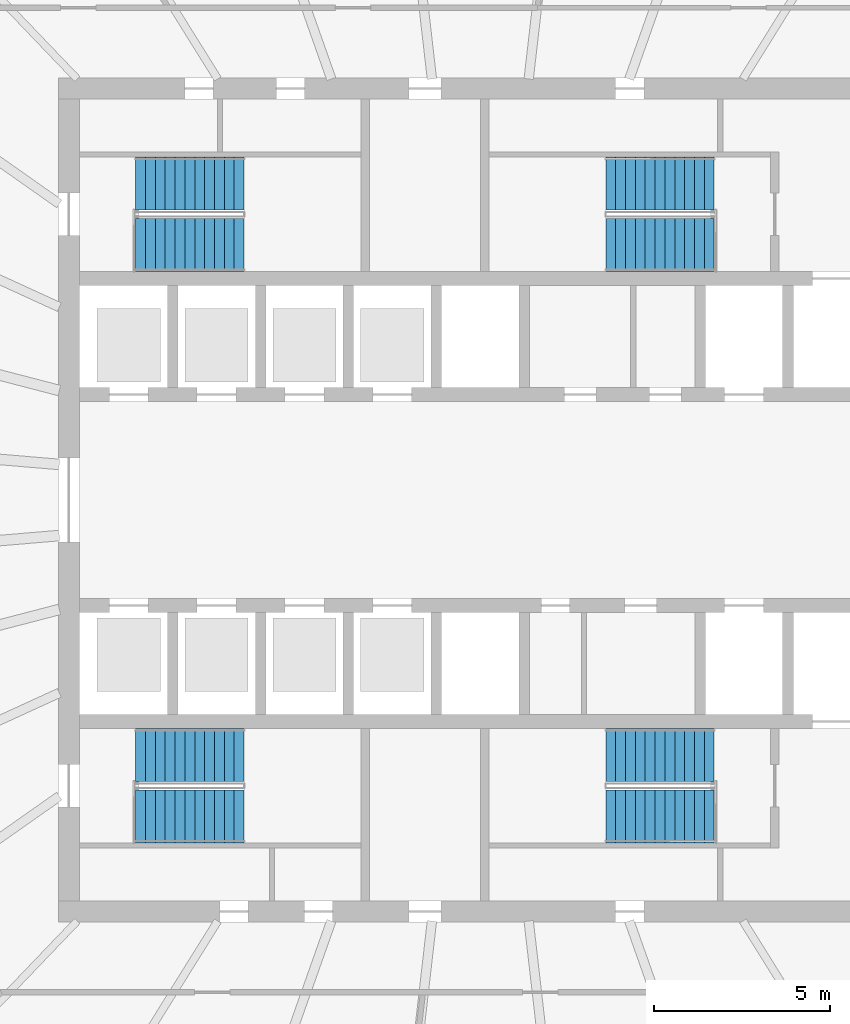
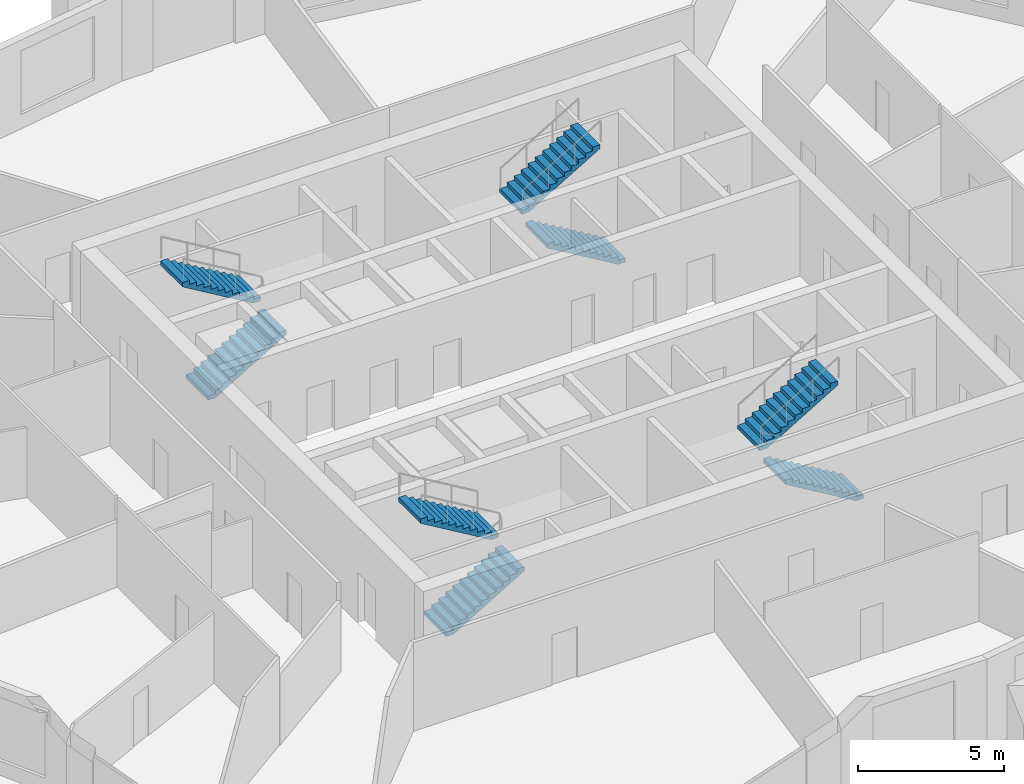
# One storey, part 8 of 11: 8 stair flights, 4 elements without a shape of their own.
"""IFC4 building model written with IfcOpenShell, lengths in metres."""

from ifc_helpers import new_model, si_unit, direction, frame, origin, place, context, subcontext, project, spatial, polyline, outline, extrude, material, type_object, element, aggregate, save


model = new_model("IFC4")

# Units and contexts
model_context = context("Model", 3, precision=1e-05, world=origin(), true_north=direction((0.0, 1.0)))
body_context = subcontext(model_context, "Body", "Model", "MODEL_VIEW")
ifc_project = project(units=[si_unit("LENGTHUNIT", "METRE"), si_unit("AREAUNIT", "SQUARE_METRE"), si_unit("VOLUMEUNIT", "CUBIC_METRE"), si_unit("PLANEANGLEUNIT", "RADIAN"), si_unit("MASSUNIT", "GRAM", prefix="KILO")], contexts=[model_context])

# Site, building, storey
site_placement = place(None, origin())
site = spatial("IfcSite", under=ifc_project, at=site_placement, CompositionType="ELEMENT")
building_placement = place(site_placement, origin())
building = spatial("IfcBuilding", under=site, at=building_placement, Name="Halqa Exchange Tower", CompositionType="ELEMENT")
storey_placement = place(building_placement, frame((0.0, 0.0, 214.89990234375)))
storey = spatial("IfcBuildingStorey", under=building, at=storey_placement, Name="L49", CompositionType="ELEMENT", Elevation=214.89990234375)

# Stair, stair flights
ifc_material = material(Name="Concrete C30/37", Category="concrete")
stair_type = type_object("IfcStairType", Name="Exit stair 1500 wide", PredefinedType="HALF_TURN_STAIR", material=ifc_material)
stair_1_placement = place(storey_placement, origin())
stair_1 = element("IfcStair", 1, at=stair_1_placement, inside=storey, type_object=stair_type, Name="Exit stair ST1", PredefinedType="HALF_TURN_STAIR")
stair_flight_type = type_object("IfcStairFlightType", Name="Stair flight 1500 wide", PredefinedType="STRAIGHT", material=ifc_material)
stair_flight_1_placement = place(storey_placement, frame((-9.800048828125, 7.25, 0.0), z_axis=(0.0, 0.0, 1.0), x_axis=(1.0, 0.0, 0.0)))
stair_flight_1 = element("IfcStairFlight", 2, at=stair_flight_1_placement, type_object=stair_flight_type, Name="ST1 flight 1", NumberOfRisers=12, NumberOfTreads=11, PredefinedType="STRAIGHT", RiserHeight=0.166666667, TreadLength=0.28, context=body_context, shape_type="SweptSolid", body=[
    extrude(outline(polyline([(0.0, 0.0), (0.0, 0.166748046875), (0.280029296875, 0.166748046875), (0.280029296875, 0.333251953125), (0.56005859375, 0.333251953125), (0.56005859375, 0.5), (0.840087890625, 0.5), (0.840087890625, 0.666748046875), (1.1201171875, 0.666748046875), (1.1201171875, 0.833251953125), (1.39990234375, 0.833251953125), (1.39990234375, 1.0), (1.679931640625, 1.0), (1.679931640625, 1.166748046875), (1.9599609375, 1.166748046875), (1.9599609375, 1.333251953125), (2.239990234375, 1.333251953125), (2.239990234375, 1.5), (2.52001953125, 1.5), (2.52001953125, 1.666748046875), (2.800048828125, 1.666748046875), (2.800048828125, 1.833251953125), (3.080078125, 1.833251953125), (3.080078125, 2.0), (3.080078125, 1.658935546875), (0.29296875, 0.0), (0.0, 0.0)])), frame((0.0, 0.75, 0.0), z_axis=(0.0, -1.0, 0.0), x_axis=(1.0, 0.0, 0.0)), (0.0, 0.0, 1.0), 1.5),
])
stair_flight_2_placement = place(storey_placement, frame((-6.719970703125, 9.0, 2.0), z_axis=(0.0, 0.0, 1.0), x_axis=(-1.0, 0.0, 0.0)))
stair_flight_2 = element("IfcStairFlight", 3, at=stair_flight_2_placement, type_object=stair_flight_type, Name="ST1 flight 2", NumberOfRisers=12, NumberOfTreads=11, PredefinedType="STRAIGHT", RiserHeight=0.166666667, TreadLength=0.28, context=body_context, shape_type="SweptSolid", body=[
    extrude(outline(polyline([(0.0, 0.0), (0.0, 0.166748046875), (0.280029296875, 0.166748046875), (0.280029296875, 0.333251953125), (0.56005859375, 0.333251953125), (0.56005859375, 0.5), (0.840087890625, 0.5), (0.840087890625, 0.666748046875), (1.1201171875, 0.666748046875), (1.1201171875, 0.833251953125), (1.39990234375, 0.833251953125), (1.39990234375, 1.0), (1.679931640625, 1.0), (1.679931640625, 1.166748046875), (1.9599609375, 1.166748046875), (1.9599609375, 1.333251953125), (2.239990234375, 1.333251953125), (2.239990234375, 1.5), (2.52001953125, 1.5), (2.52001953125, 1.666748046875), (2.800048828125, 1.666748046875), (2.800048828125, 1.833251953125), (3.080078125, 1.833251953125), (3.080078125, 2.0), (3.080078125, 1.658935546875), (0.29296875, 0.0), (0.0, 0.0)])), frame((0.0, 0.75, 0.0), z_axis=(0.0, -1.0, 0.0), x_axis=(1.0, 0.0, 0.0)), (0.0, 0.0, 1.0), 1.5),
])
aggregate(stair_1, [stair_flight_1, stair_flight_2])

stair_2_placement = place(storey_placement, origin())
stair_2 = element("IfcStair", 4, at=stair_2_placement, inside=storey, type_object=stair_type, Name="Exit stair ST2", PredefinedType="HALF_TURN_STAIR")
stair_flight_3_placement = place(storey_placement, frame((6.64990234375, 7.25, 0.0), z_axis=(0.0, 0.0, 1.0), x_axis=(-1.0, 0.0, 0.0)))
stair_flight_3 = element("IfcStairFlight", 5, at=stair_flight_3_placement, type_object=stair_flight_type, Name="ST2 flight 1", NumberOfRisers=12, NumberOfTreads=11, PredefinedType="STRAIGHT", RiserHeight=0.166666667, TreadLength=0.28, context=body_context, shape_type="SweptSolid", body=[
    extrude(outline(polyline([(0.0, 0.0), (0.0, 0.166748046875), (0.280029296875, 0.166748046875), (0.280029296875, 0.333251953125), (0.56005859375, 0.333251953125), (0.56005859375, 0.5), (0.840087890625, 0.5), (0.840087890625, 0.666748046875), (1.1201171875, 0.666748046875), (1.1201171875, 0.833251953125), (1.39990234375, 0.833251953125), (1.39990234375, 1.0), (1.679931640625, 1.0), (1.679931640625, 1.166748046875), (1.9599609375, 1.166748046875), (1.9599609375, 1.333251953125), (2.239990234375, 1.333251953125), (2.239990234375, 1.5), (2.52001953125, 1.5), (2.52001953125, 1.666748046875), (2.800048828125, 1.666748046875), (2.800048828125, 1.833251953125), (3.080078125, 1.833251953125), (3.080078125, 2.0), (3.080078125, 1.658935546875), (0.29296875, 0.0), (0.0, 0.0)])), frame((0.0, 0.75, 0.0), z_axis=(0.0, -1.0, 0.0), x_axis=(1.0, 0.0, 0.0)), (0.0, 0.0, 1.0), 1.5),
])
stair_flight_4_placement = place(storey_placement, frame((3.570068359375, 9.0, 2.0), z_axis=(0.0, 0.0, 1.0), x_axis=(1.0, 0.0, 0.0)))
stair_flight_4 = element("IfcStairFlight", 6, at=stair_flight_4_placement, type_object=stair_flight_type, Name="ST2 flight 2", NumberOfRisers=12, NumberOfTreads=11, PredefinedType="STRAIGHT", RiserHeight=0.166666667, TreadLength=0.28, context=body_context, shape_type="SweptSolid", body=[
    extrude(outline(polyline([(0.0, 0.0), (0.0, 0.166748046875), (0.280029296875, 0.166748046875), (0.280029296875, 0.333251953125), (0.56005859375, 0.333251953125), (0.56005859375, 0.5), (0.840087890625, 0.5), (0.840087890625, 0.666748046875), (1.1201171875, 0.666748046875), (1.1201171875, 0.833251953125), (1.39990234375, 0.833251953125), (1.39990234375, 1.0), (1.679931640625, 1.0), (1.679931640625, 1.166748046875), (1.9599609375, 1.166748046875), (1.9599609375, 1.333251953125), (2.239990234375, 1.333251953125), (2.239990234375, 1.5), (2.52001953125, 1.5), (2.52001953125, 1.666748046875), (2.800048828125, 1.666748046875), (2.800048828125, 1.833251953125), (3.080078125, 1.833251953125), (3.080078125, 2.0), (3.080078125, 1.658935546875), (0.29296875, 0.0), (0.0, 0.0)])), frame((0.0, 0.75, 0.0), z_axis=(0.0, -1.0, 0.0), x_axis=(1.0, 0.0, 0.0)), (0.0, 0.0, 1.0), 1.5),
])
aggregate(stair_2, [stair_flight_3, stair_flight_4])

stair_3_placement = place(storey_placement, origin())
stair_3 = element("IfcStair", 7, at=stair_3_placement, inside=storey, type_object=stair_type, Name="Exit stair ST3", PredefinedType="HALF_TURN_STAIR")
stair_flight_5_placement = place(storey_placement, frame((-9.800048828125, -9.0, 0.0), z_axis=(0.0, 0.0, 1.0), x_axis=(1.0, 0.0, 0.0)))
stair_flight_5 = element("IfcStairFlight", 8, at=stair_flight_5_placement, type_object=stair_flight_type, Name="ST3 flight 1", NumberOfRisers=12, NumberOfTreads=11, PredefinedType="STRAIGHT", RiserHeight=0.166666667, TreadLength=0.28, context=body_context, shape_type="SweptSolid", body=[
    extrude(outline(polyline([(0.0, 0.0), (0.0, 0.166748046875), (0.280029296875, 0.166748046875), (0.280029296875, 0.333251953125), (0.56005859375, 0.333251953125), (0.56005859375, 0.5), (0.840087890625, 0.5), (0.840087890625, 0.666748046875), (1.1201171875, 0.666748046875), (1.1201171875, 0.833251953125), (1.39990234375, 0.833251953125), (1.39990234375, 1.0), (1.679931640625, 1.0), (1.679931640625, 1.166748046875), (1.9599609375, 1.166748046875), (1.9599609375, 1.333251953125), (2.239990234375, 1.333251953125), (2.239990234375, 1.5), (2.52001953125, 1.5), (2.52001953125, 1.666748046875), (2.800048828125, 1.666748046875), (2.800048828125, 1.833251953125), (3.080078125, 1.833251953125), (3.080078125, 2.0), (3.080078125, 1.658935546875), (0.29296875, 0.0), (0.0, 0.0)])), frame((0.0, 0.75, 0.0), z_axis=(0.0, -1.0, 0.0), x_axis=(1.0, 0.0, 0.0)), (0.0, 0.0, 1.0), 1.5),
])
stair_flight_6_placement = place(storey_placement, frame((-6.719970703125, -7.25, 2.0), z_axis=(0.0, 0.0, 1.0), x_axis=(-1.0, 0.0, 0.0)))
stair_flight_6 = element("IfcStairFlight", 9, at=stair_flight_6_placement, type_object=stair_flight_type, Name="ST3 flight 2", NumberOfRisers=12, NumberOfTreads=11, PredefinedType="STRAIGHT", RiserHeight=0.166666667, TreadLength=0.28, context=body_context, shape_type="SweptSolid", body=[
    extrude(outline(polyline([(0.0, 0.0), (0.0, 0.166748046875), (0.280029296875, 0.166748046875), (0.280029296875, 0.333251953125), (0.56005859375, 0.333251953125), (0.56005859375, 0.5), (0.840087890625, 0.5), (0.840087890625, 0.666748046875), (1.1201171875, 0.666748046875), (1.1201171875, 0.833251953125), (1.39990234375, 0.833251953125), (1.39990234375, 1.0), (1.679931640625, 1.0), (1.679931640625, 1.166748046875), (1.9599609375, 1.166748046875), (1.9599609375, 1.333251953125), (2.239990234375, 1.333251953125), (2.239990234375, 1.5), (2.52001953125, 1.5), (2.52001953125, 1.666748046875), (2.800048828125, 1.666748046875), (2.800048828125, 1.833251953125), (3.080078125, 1.833251953125), (3.080078125, 2.0), (3.080078125, 1.658935546875), (0.29296875, 0.0), (0.0, 0.0)])), frame((0.0, 0.75, 0.0), z_axis=(0.0, -1.0, 0.0), x_axis=(1.0, 0.0, 0.0)), (0.0, 0.0, 1.0), 1.5),
])
aggregate(stair_3, [stair_flight_5, stair_flight_6])

stair_4_placement = place(storey_placement, origin())
stair_4 = element("IfcStair", 10, at=stair_4_placement, inside=storey, type_object=stair_type, Name="Exit stair ST4", PredefinedType="HALF_TURN_STAIR")
stair_flight_7_placement = place(storey_placement, frame((6.64990234375, -9.0, 0.0), z_axis=(0.0, 0.0, 1.0), x_axis=(-1.0, 0.0, 0.0)))
stair_flight_7 = element("IfcStairFlight", 11, at=stair_flight_7_placement, type_object=stair_flight_type, Name="ST4 flight 1", NumberOfRisers=12, NumberOfTreads=11, PredefinedType="STRAIGHT", RiserHeight=0.166666667, TreadLength=0.28, context=body_context, shape_type="SweptSolid", body=[
    extrude(outline(polyline([(0.0, 0.0), (0.0, 0.166748046875), (0.280029296875, 0.166748046875), (0.280029296875, 0.333251953125), (0.56005859375, 0.333251953125), (0.56005859375, 0.5), (0.840087890625, 0.5), (0.840087890625, 0.666748046875), (1.1201171875, 0.666748046875), (1.1201171875, 0.833251953125), (1.39990234375, 0.833251953125), (1.39990234375, 1.0), (1.679931640625, 1.0), (1.679931640625, 1.166748046875), (1.9599609375, 1.166748046875), (1.9599609375, 1.333251953125), (2.239990234375, 1.333251953125), (2.239990234375, 1.5), (2.52001953125, 1.5), (2.52001953125, 1.666748046875), (2.800048828125, 1.666748046875), (2.800048828125, 1.833251953125), (3.080078125, 1.833251953125), (3.080078125, 2.0), (3.080078125, 1.658935546875), (0.29296875, 0.0), (0.0, 0.0)])), frame((0.0, 0.75, 0.0), z_axis=(0.0, -1.0, 0.0), x_axis=(1.0, 0.0, 0.0)), (0.0, 0.0, 1.0), 1.5),
])
stair_flight_8_placement = place(storey_placement, frame((3.570068359375, -7.25, 2.0), z_axis=(0.0, 0.0, 1.0), x_axis=(1.0, 0.0, 0.0)))
stair_flight_8 = element("IfcStairFlight", 12, at=stair_flight_8_placement, type_object=stair_flight_type, Name="ST4 flight 2", NumberOfRisers=12, NumberOfTreads=11, PredefinedType="STRAIGHT", RiserHeight=0.166666667, TreadLength=0.28, context=body_context, shape_type="SweptSolid", body=[
    extrude(outline(polyline([(0.0, 0.0), (0.0, 0.166748046875), (0.280029296875, 0.166748046875), (0.280029296875, 0.333251953125), (0.56005859375, 0.333251953125), (0.56005859375, 0.5), (0.840087890625, 0.5), (0.840087890625, 0.666748046875), (1.1201171875, 0.666748046875), (1.1201171875, 0.833251953125), (1.39990234375, 0.833251953125), (1.39990234375, 1.0), (1.679931640625, 1.0), (1.679931640625, 1.166748046875), (1.9599609375, 1.166748046875), (1.9599609375, 1.333251953125), (2.239990234375, 1.333251953125), (2.239990234375, 1.5), (2.52001953125, 1.5), (2.52001953125, 1.666748046875), (2.800048828125, 1.666748046875), (2.800048828125, 1.833251953125), (3.080078125, 1.833251953125), (3.080078125, 2.0), (3.080078125, 1.658935546875), (0.29296875, 0.0), (0.0, 0.0)])), frame((0.0, 0.75, 0.0), z_axis=(0.0, -1.0, 0.0), x_axis=(1.0, 0.0, 0.0)), (0.0, 0.0, 1.0), 1.5),
])
aggregate(stair_4, [stair_flight_7, stair_flight_8])

save(model, "model.ifc")
